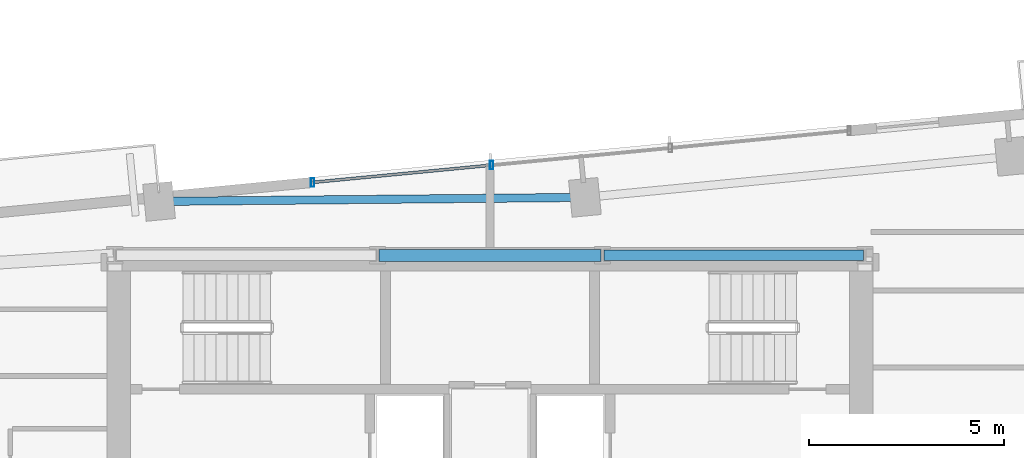
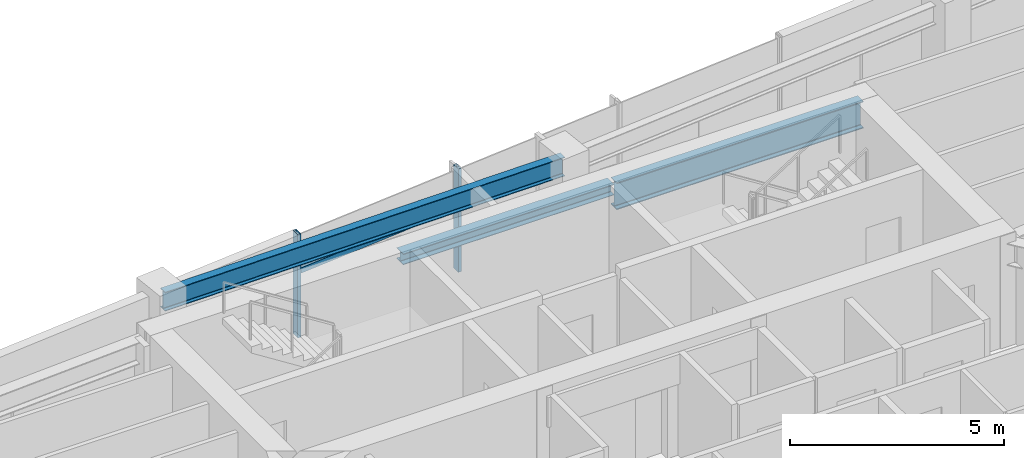
# One storey, part 6 of 18: 3 beams, 3 members, 1 element without a shape of its own.
"""IFC4 building model written with IfcOpenShell, lengths in metres."""

import ifcopenshell
import ifcopenshell.guid

model = None  # the IFC model being written
_history = None  # IfcOwnerHistory: only IFC2X3 demands one
_inside = {}  # id of a spatial element -> (the spatial element, [elements in it])
_under = {}  # id of a project, library or spatial element -> (it, [spatial elements below it])
_declared = {}  # id of a project -> (the project, [libraries it declares])
_typed = {}  # id of a type object -> (the type object, [elements of that type])
_made_of = {}  # id of a material, layer set ... -> (it, [elements and type objects made of it])


def new_model(schema):
    """Start an empty IFC model of exactly this schema.

    Asked for "IFC4X3", IfcOpenShell would pick the latest addendum, in which some entities
    have other attributes; the version numbers below select the first issue.
    IFC2X3 requires an IfcOwnerHistory on every rooted entity: one is made here for all.
    """
    global model, _history
    if schema == "IFC4X3":
        model = ifcopenshell.file(schema_version=(4, 3, 0, 0))
    else:
        model = ifcopenshell.file(schema=schema)
    _inside.clear()
    _under.clear()
    _declared.clear()
    _typed.clear()
    _made_of.clear()
    _history = None
    if model.schema == "IFC2X3":
        org = make("IfcOrganization", Name="unknown")
        user = make(
            "IfcPersonAndOrganization",
            ThePerson=make("IfcPerson", FamilyName="unknown"),
            TheOrganization=org,
        )
        app = make(
            "IfcApplication",
            ApplicationDeveloper=org,
            Version="unknown",
            ApplicationFullName="unknown",
            ApplicationIdentifier="unknown",
        )
        _history = make(
            "IfcOwnerHistory",
            OwningUser=user,
            OwningApplication=app,
            ChangeAction="ADDED",
            CreationDate=0,
        )
    return model


def make(cls, **values):
    """One entity of the class cls with the attributes given. An attribute that is None is left unset."""
    return model.create_entity(
        cls, **{name: value for name, value in values.items() if value is not None}
    )


def rooted(cls, **values):
    """An entity with a GlobalId (a new one), such as an element, a storey or a relation."""
    return make(cls, GlobalId=ifcopenshell.guid.new(), OwnerHistory=_history, **values)


def si_unit(unit_type, name, prefix=None):
    """IfcSIUnit, for example si_unit("LENGTHUNIT", "METRE", prefix="MILLI")."""
    return make("IfcSIUnit", UnitType=unit_type, Prefix=prefix, Name=name)


def assignment(units):
    """IfcUnitAssignment: the units of a project."""
    return None if units is None else make("IfcUnitAssignment", Units=units)


def point(xyz):
    """IfcCartesianPoint."""
    return None if xyz is None else make("IfcCartesianPoint", Coordinates=xyz)


def direction(xyz):
    """IfcDirection."""
    return None if xyz is None else make("IfcDirection", DirectionRatios=xyz)


def frame(location, z_axis=None, x_axis=None):
    """IfcAxis2Placement3D, a coordinate frame: its origin and axes. An axis left out is left unset."""
    return make(
        "IfcAxis2Placement3D",
        Location=point(location),
        Axis=direction(z_axis),
        RefDirection=direction(x_axis),
    )


def frame_2d(location, x_axis=None):
    """IfcAxis2Placement2D, a coordinate frame in the plane: its origin and x axis."""
    return make(
        "IfcAxis2Placement2D", Location=point(location), RefDirection=direction(x_axis)
    )


def origin():
    """The frame at (0, 0, 0) with its axes left unset."""
    return frame((0.0, 0.0, 0.0))


def origin_2d():
    """The frame at (0, 0) in the plane with its x axis left unset."""
    return frame_2d((0.0, 0.0))


def place(relative_to, where):
    """IfcLocalPlacement: puts the frame where relative to a parent placement (None: the world)."""
    return make(
        "IfcLocalPlacement", PlacementRelTo=relative_to, RelativePlacement=where
    )


def context(
    kind, dimensions, precision=None, world=None, true_north=None, identifier=None
):
    """IfcGeometricRepresentationContext, for example the 3D "Model" context."""
    return make(
        "IfcGeometricRepresentationContext",
        ContextIdentifier=identifier,
        ContextType=kind,
        CoordinateSpaceDimension=dimensions,
        Precision=precision,
        WorldCoordinateSystem=world,
        TrueNorth=true_north,
    )


def subcontext(parent, identifier, kind, view, scale=None):
    """IfcGeometricRepresentationSubContext, for example "Body" below "Model"."""
    return make(
        "IfcGeometricRepresentationSubContext",
        ContextIdentifier=identifier,
        ContextType=kind,
        ParentContext=parent,
        TargetScale=scale,
        TargetView=view,
    )


def project(units=None, contexts=None):
    """IfcProject with its units and contexts."""
    return rooted(
        "IfcProject",
        Name="project",
        RepresentationContexts=contexts,
        UnitsInContext=assignment(units),
    )


def spatial(cls, under=None, at=None, **own):
    """A site, building, storey or space (cls), placed at a placement, below another one or the project."""
    s = rooted(cls, ObjectPlacement=at, **own)
    if under is not None:
        _under.setdefault(under.id(), (under, []))[1].append(s)
    return s


def profile(cls, at=None, kind="AREA", **sizes):
    """A parametric profile (cls). Its sizes go by their IFC names, for example OverallWidth=200.0."""
    return make(cls, ProfileType=kind, Position=at, **sizes)


def hollow_rectangle(**sizes):
    """IfcRectangleHollowProfileDef."""
    return profile("IfcRectangleHollowProfileDef", **sizes)


def i_section(**sizes):
    """IfcIShapeProfileDef."""
    return profile("IfcIShapeProfileDef", **sizes)


def extrude(swept, where, along, depth):
    """IfcExtrudedAreaSolid: the profile swept, set in the frame where, extruded along a direction by depth."""
    return make(
        "IfcExtrudedAreaSolid",
        SweptArea=swept,
        Position=where,
        ExtrudedDirection=direction(along),
        Depth=depth,
    )


def shape(context_of_items, identifier, shape_type, items):
    """IfcShapeRepresentation: the items that make up one representation, for example the "Body"."""
    return make(
        "IfcShapeRepresentation",
        ContextOfItems=context_of_items,
        RepresentationIdentifier=identifier,
        RepresentationType=shape_type,
        Items=items,
    )


def source(mapping_origin, context_of_items, identifier, shape_type, items):
    """IfcRepresentationMap: a shape defined once, which mapped items show again and again."""
    return make(
        "IfcRepresentationMap",
        MappingOrigin=mapping_origin,
        MappedRepresentation=shape(context_of_items, identifier, shape_type, items),
    )


def transform(
    local_origin,
    x_axis=None,
    y_axis=None,
    z_axis=None,
    scale=None,
    scale2=None,
    scale3=None,
    uniform=True,
):
    """IfcCartesianTransformationOperator3D, or its non-uniform kind. x_axis, y_axis, z_axis: its Axis1, 2, 3."""
    if uniform:
        return make(
            "IfcCartesianTransformationOperator3D",
            Axis1=direction(x_axis),
            Axis2=direction(y_axis),
            LocalOrigin=point(local_origin),
            Scale=scale,
            Axis3=direction(z_axis),
        )
    return make(
        "IfcCartesianTransformationOperator3DnonUniform",
        Axis1=direction(x_axis),
        Axis2=direction(y_axis),
        LocalOrigin=point(local_origin),
        Scale=scale,
        Axis3=direction(z_axis),
        Scale2=scale2,
        Scale3=scale3,
    )


def mapped(mapping_source, mapping_target):
    """IfcMappedItem: shows the shape of a source again, moved by a transform."""
    return make(
        "IfcMappedItem", MappingSource=mapping_source, MappingTarget=mapping_target
    )


def material(Name=None, Category=None):
    """IfcMaterial."""
    return make("IfcMaterial", Name=Name, Category=Category)


def material_profile(
    of_material, cross_section, Name=None, Category=None, Priority=None
):
    """IfcMaterialProfile: a cross section and its material."""
    return make(
        "IfcMaterialProfile",
        Name=Name,
        Material=of_material,
        Profile=cross_section,
        Priority=Priority,
        Category=Category,
    )


def profile_set(profiles, Name=None, composite=None):
    """IfcMaterialProfileSet."""
    return make(
        "IfcMaterialProfileSet",
        Name=Name,
        MaterialProfiles=profiles,
        CompositeProfile=composite,
    )


def made_of(thing, what):
    """Note that an element or type object is made of a material, layer set ...; save() writes the relation."""
    if what is not None:
        _made_of.setdefault(what.id(), (what, []))[1].append(thing)
    return thing


def type_object(cls, material=None, **own):
    """A type object (cls), such as IfcWallType, which elements share."""
    return made_of(rooted(cls, **own), material)


def type_shapes(of_type, sources):
    """Give a type object the sources (RepresentationMaps) that its elements show as mapped items."""
    of_type.RepresentationMaps = sources


def element(
    cls,
    number,
    at=None,
    inside=None,
    cuts=None,
    type_object=None,
    material=None,
    context=None,
    identifier="Body",
    shape_type=None,
    held_by="IfcProductDefinitionShape",
    body=None,
    shapes=None,
    **own,
):
    """One element of the class cls, such as IfcWall. Its Tag is "e" and its number.

    at: its placement. inside: the storey or other place that contains it. cuts: it is an
    opening in that element (IfcRelVoidsElement). A single representation is given by context,
    identifier, shape_type and body (its items); several are given by shapes. held_by: the class
    of the entity that holds the representations. save() writes the other relations.
    """
    e = rooted(cls, Tag="e%d" % number, ObjectPlacement=at, **own)
    if body is not None:
        shapes = [shape(context, identifier, shape_type, body)]
    if shapes is not None:
        e.Representation = make(held_by, Representations=shapes)
    if inside is not None:
        _inside.setdefault(inside.id(), (inside, []))[1].append(e)
    if cuts is not None:
        rooted(
            "IfcRelVoidsElement", RelatingBuildingElement=cuts, RelatedOpeningElement=e
        )
    if type_object is not None:
        _typed.setdefault(type_object.id(), (type_object, []))[1].append(e)
    return made_of(e, material)


def aggregate(whole, parts):
    """IfcRelAggregates: a whole, such as a stair, and the parts it consists of."""
    return rooted("IfcRelAggregates", RelatingObject=whole, RelatedObjects=parts)


def save(model, path):
    """Write the relations noted so far, then the file.

    IfcRelAggregates (storeys below a building ...), IfcRelContainedInSpatialStructure (elements
    in a storey), IfcRelDefinesByType, IfcRelAssociatesMaterial and IfcRelDeclares: one each for
    every whole, place, type object, material and project.
    """
    for whole, parts in _under.values():
        aggregate(whole, parts)
    for where, things in _inside.values():
        rooted(
            "IfcRelContainedInSpatialStructure",
            RelatedElements=things,
            RelatingStructure=where,
        )
    for kind, things in _typed.values():
        rooted("IfcRelDefinesByType", RelatedObjects=things, RelatingType=kind)
    for what, things in _made_of.values():
        rooted("IfcRelAssociatesMaterial", RelatedObjects=things, RelatingMaterial=what)
    for by, libraries in _declared.values():
        rooted("IfcRelDeclares", RelatingContext=by, RelatedDefinitions=libraries)
    model.write(path)


model = new_model("IFC4")

# Units and contexts
model_context = context("Model", 3, precision=1e-05, world=origin(), true_north=direction((0.0, 1.0)))
body_context = subcontext(model_context, "Body", "Model", "MODEL_VIEW")
ifc_project = project(units=[si_unit("LENGTHUNIT", "METRE"), si_unit("AREAUNIT", "SQUARE_METRE"), si_unit("VOLUMEUNIT", "CUBIC_METRE"), si_unit("PLANEANGLEUNIT", "RADIAN"), si_unit("MASSUNIT", "GRAM", prefix="KILO")], contexts=[model_context])

# Site, building, storey
site_placement = place(None, origin())
site = spatial("IfcSite", under=ifc_project, at=site_placement, CompositionType="ELEMENT")
building_placement = place(site_placement, origin())
building = spatial("IfcBuilding", under=site, at=building_placement, Name="Astriad Promenade Condominiums", CompositionType="ELEMENT")
storey_placement = place(building_placement, frame((0.0, 0.0, 201.800048828125)))
storey = spatial("IfcBuildingStorey", under=building, at=storey_placement, Name="L58", CompositionType="ELEMENT", Elevation=201.800048828125)

# Beams
ifc_material_1 = material(Name="Steel ASTM A992 Grade 50", Category="steel")
ifc_material_profile_1 = material_profile(ifc_material_1, i_section(OverallWidth=0.267822265625, OverallDepth=0.76953125, WebThickness=0.015625, FlangeThickness=0.025390625, FilletRadius=0.021484375, at=origin_2d()), Name="W30X132")
ifc_profile_set_1 = profile_set([ifc_material_profile_1], Name="Steel ASTM A992 Grade 50")
beam_type_1 = type_object("IfcBeamType", Name="STEEL FLOOR GIRDER W30X132", PredefinedType="BEAM", material=ifc_profile_set_1)
shared_shape_1 = source(origin(), body_context, "Body", "SweptSolid", [
    extrude(i_section(OverallWidth=0.267822265625, OverallDepth=0.76953125, WebThickness=0.015625, FlangeThickness=0.025390625, FilletRadius=0.021484375, at=origin_2d()), origin(), (0.0, 0.0, 1.0), 6.64013671875),
])
type_shapes(beam_type_1, [shared_shape_1])
beam_1_placement = place(storey_placement, frame((38.919921875, 24.0, 2.55517578125), z_axis=(1.0, 0.0, 0.0), x_axis=(0.0, 1.0, 0.0)))
element("IfcBeam", 1, at=beam_1_placement, inside=storey, type_object=beam_type_1, Name="Core Ring Beam CG-N3-L58", PredefinedType="BEAM", context=body_context, shape_type="MappedRepresentation", body=[
    mapped(shared_shape_1, transform((0.0, 0.0, 0.0), scale=1.0)),
])
ifc_material_profile_2 = material_profile(ifc_material_1, i_section(OverallWidth=0.3046875, OverallDepth=0.307861328125, WebThickness=0.010009765625, FlangeThickness=0.015380859375, FilletRadius=0.01513671875, at=origin_2d()), Name="W12X65")
ifc_profile_set_2 = profile_set([ifc_material_profile_2], Name="Steel ASTM A992 Grade 50")
beam_type_2 = type_object("IfcBeamType", Name="STEEL OPENING LINTEL W12X65", PredefinedType="LINTEL", material=ifc_profile_set_2)
shared_shape_2 = source(origin(), body_context, "Body", "SweptSolid", [
    extrude(i_section(OverallWidth=0.3046875, OverallDepth=0.307861328125, WebThickness=0.010009765625, FlangeThickness=0.015380859375, FilletRadius=0.01513671875, at=origin_2d()), origin(), (0.0, 0.0, 1.0), 5.68017578125),
])
type_shapes(beam_type_2, [shared_shape_2])
beam_2_placement = place(storey_placement, frame((33.159912109375, 24.0, 2.7861328125), z_axis=(1.0, 0.0, 0.0), x_axis=(0.0, 1.0, 0.0)))
element("IfcBeam", 2, at=beam_2_placement, inside=storey, type_object=beam_type_2, Name="Core Ring Beam CG-N2-L58", PredefinedType="LINTEL", context=body_context, shape_type="MappedRepresentation", body=[
    mapped(shared_shape_2, transform((0.0, 0.0, 0.0), scale=1.0)),
])
ifc_material_profile_3 = material_profile(ifc_material_1, i_section(OverallWidth=0.210693359375, OverallDepth=0.53955078125, WebThickness=0.01171875, FlangeThickness=0.018798828125, FilletRadius=0.0166015625, at=origin_2d()), Name="W21X73")
ifc_profile_set_3 = profile_set([ifc_material_profile_3], Name="Steel ASTM A992 Grade 50")
beam_type_3 = type_object("IfcBeamType", Name="STEEL SPANDREL BEAM W21X73", PredefinedType="SPANDREL", material=ifc_profile_set_3)
shared_shape_3 = source(origin(), body_context, "Body", "SweptSolid", [
    extrude(i_section(OverallWidth=0.210693359375, OverallDepth=0.53955078125, WebThickness=0.01171875, FlangeThickness=0.018798828125, FilletRadius=0.0166015625, at=origin_2d()), origin(), (0.0, 0.0, 1.0), 10.820068359375),
])
type_shapes(beam_type_3, [shared_shape_3])
beam_3_placement = place(storey_placement, frame((38.391357421875, 25.482666015625, 2.670166015625), z_axis=(-0.999955308161, -0.009454188553, 0.0), x_axis=(0.009454188553, -0.999955308161, 0.0)))
element("IfcBeam", 3, at=beam_3_placement, inside=storey, type_object=beam_type_3, Name="Perimeter Spandrel Beam SP-N2-L58", PredefinedType="SPANDREL", context=body_context, shape_type="MappedRepresentation", body=[
    mapped(shared_shape_3, transform((0.0, 0.0, 0.0), scale=1.0)),
])

# Curtain wall, members
ifc_material_2 = material(Name="Anodised aluminium Black Dark Glass Unitised", Category="aluminium")
curtain_wall_type = type_object("IfcCurtainWallType", Name="CW-B34-DARK", PredefinedType="USERDEFINED", material=ifc_material_2)
curtain_wall_placement = place(storey_placement, origin())
curtain_wall = element("IfcCurtainWall", 4, at=curtain_wall_placement, inside=storey, type_object=curtain_wall_type, Name="CW-L58-N", ObjectType="UNITISED_CURTAIN_WALL", PredefinedType="USERDEFINED")
ifc_material_3 = material(Name="Anodised aluminium 6063-T6 Black", Category="aluminium")
ifc_material_profile_4 = material_profile(ifc_material_3, hollow_rectangle(XDim=0.0849609375, YDim=0.219970703125, WallThickness=0.0048828125, at=origin_2d()), Name="ALU-MUL-85X220")
ifc_profile_set_4 = profile_set([ifc_material_profile_4], Name="Anodised aluminium 6063-T6 Black")
member_type_1 = type_object("IfcMemberType", Name="MUL-ALU-MUL-85X220", PredefinedType="MULLION", material=ifc_profile_set_4)
shared_shape_4 = source(origin(), body_context, "Body", "SweptSolid", [
    extrude(hollow_rectangle(XDim=0.0849609375, YDim=0.219970703125, WallThickness=0.0048828125, at=origin_2d()), origin(), (0.0, 0.0, 1.0), 2.93994140625),
])
type_shapes(member_type_1, [shared_shape_4])
member_1_placement = place(storey_placement, frame((31.46240234375, 25.866943359375, 0.0), z_axis=(0.0, 0.0, 1.0), x_axis=(1.0, 0.0, 0.0)))
member_1 = element("IfcMember", 5, at=member_1_placement, type_object=member_type_1, Name="CW-L58-N-MUL-00", PredefinedType="MULLION", context=body_context, shape_type="MappedRepresentation", body=[
    mapped(shared_shape_4, transform((0.0, 0.0, 0.0), scale=1.0)),
])
member_2_placement = place(storey_placement, frame((36.041259765625, 26.307861328125, 0.0), z_axis=(0.0, 0.0, 1.0), x_axis=(1.0, 0.0, 0.0)))
member_2 = element("IfcMember", 6, at=member_2_placement, type_object=member_type_1, Name="CW-L58-N-MUL-01", PredefinedType="MULLION", context=body_context, shape_type="MappedRepresentation", body=[
    mapped(shared_shape_4, transform((0.0, 0.0, 0.0), scale=1.0)),
])
ifc_material_profile_5 = material_profile(ifc_material_3, hollow_rectangle(XDim=0.074951171875, YDim=0.14990234375, WallThickness=0.004150390625, at=origin_2d()), Name="ALU-TRN-75X150")
ifc_profile_set_5 = profile_set([ifc_material_profile_5], Name="Anodised aluminium 6063-T6 Black")
member_type_2 = type_object("IfcMemberType", Name="TRN-ALU-TRN-75X150", PredefinedType="USERDEFINED", material=ifc_profile_set_5)
shared_shape_5 = source(origin(), body_context, "Body", "SweptSolid", [
    extrude(hollow_rectangle(XDim=0.074951171875, YDim=0.14990234375, WallThickness=0.004150390625, at=origin_2d()), origin(), (0.0, 0.0, 1.0), 4.60009765625),
])
type_shapes(member_type_2, [shared_shape_5])
member_3_placement = place(storey_placement, frame((31.46240234375, 25.866943359375, 1.82275390625), z_axis=(0.995395697572, 0.095850953336, 0.0), x_axis=(-0.095850953336, 0.995395697572, 0.0)))
member_3 = element("IfcMember", 7, at=member_3_placement, type_object=member_type_2, Name="CW-L58-N-TRN-00-0", ObjectType="TRANSOM", PredefinedType="USERDEFINED", context=body_context, shape_type="MappedRepresentation", body=[
    mapped(shared_shape_5, transform((0.0, 0.0, 0.0), scale=1.0)),
])
aggregate(curtain_wall, [member_1, member_2, member_3])

save(model, "model.ifc")
